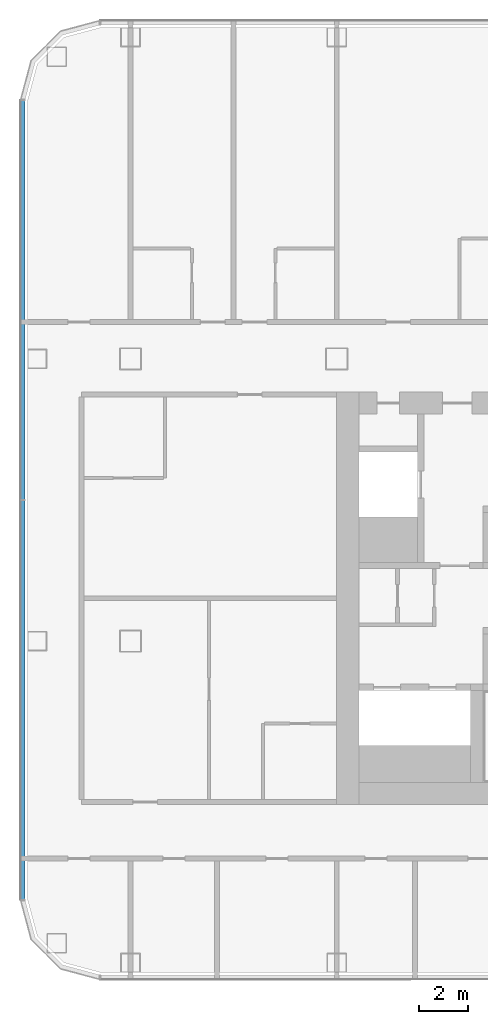
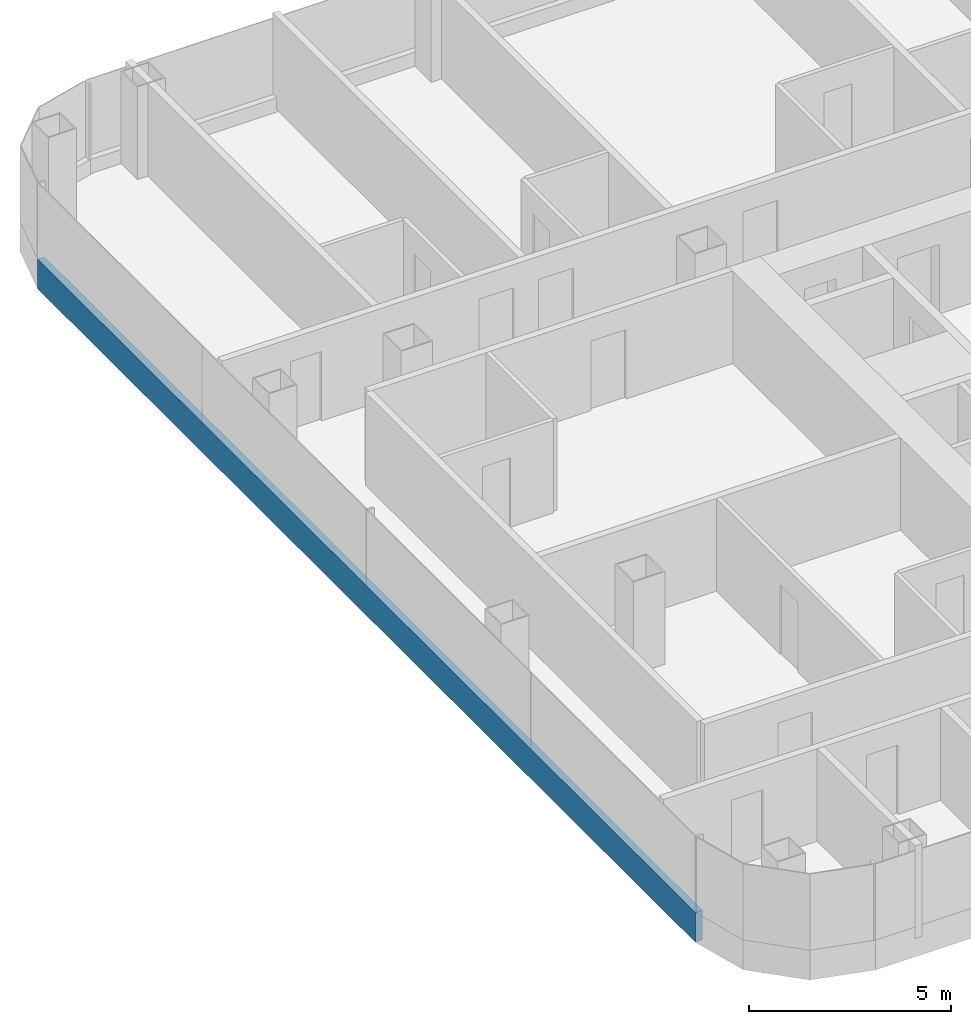
# One storey, part 3 of 29: 1 member, 1 element without a shape of its own.
"""IFC4 building model written with IfcOpenShell, lengths in metres."""

import ifcopenshell
import ifcopenshell.guid

model = None  # the IFC model being written
_history = None  # IfcOwnerHistory: only IFC2X3 demands one
_inside = {}  # id of a spatial element -> (the spatial element, [elements in it])
_under = {}  # id of a project, library or spatial element -> (it, [spatial elements below it])
_declared = {}  # id of a project -> (the project, [libraries it declares])
_typed = {}  # id of a type object -> (the type object, [elements of that type])
_made_of = {}  # id of a material, layer set ... -> (it, [elements and type objects made of it])


def new_model(schema):
    """Start an empty IFC model of exactly this schema.

    Asked for "IFC4X3", IfcOpenShell would pick the latest addendum, in which some entities
    have other attributes; the version numbers below select the first issue.
    IFC2X3 requires an IfcOwnerHistory on every rooted entity: one is made here for all.
    """
    global model, _history
    if schema == "IFC4X3":
        model = ifcopenshell.file(schema_version=(4, 3, 0, 0))
    else:
        model = ifcopenshell.file(schema=schema)
    _inside.clear()
    _under.clear()
    _declared.clear()
    _typed.clear()
    _made_of.clear()
    _history = None
    if model.schema == "IFC2X3":
        org = make("IfcOrganization", Name="unknown")
        user = make(
            "IfcPersonAndOrganization",
            ThePerson=make("IfcPerson", FamilyName="unknown"),
            TheOrganization=org,
        )
        app = make(
            "IfcApplication",
            ApplicationDeveloper=org,
            Version="unknown",
            ApplicationFullName="unknown",
            ApplicationIdentifier="unknown",
        )
        _history = make(
            "IfcOwnerHistory",
            OwningUser=user,
            OwningApplication=app,
            ChangeAction="ADDED",
            CreationDate=0,
        )
    return model


def make(cls, **values):
    """One entity of the class cls with the attributes given. An attribute that is None is left unset."""
    return model.create_entity(
        cls, **{name: value for name, value in values.items() if value is not None}
    )


def rooted(cls, **values):
    """An entity with a GlobalId (a new one), such as an element, a storey or a relation."""
    return make(cls, GlobalId=ifcopenshell.guid.new(), OwnerHistory=_history, **values)


def si_unit(unit_type, name, prefix=None):
    """IfcSIUnit, for example si_unit("LENGTHUNIT", "METRE", prefix="MILLI")."""
    return make("IfcSIUnit", UnitType=unit_type, Prefix=prefix, Name=name)


def assignment(units):
    """IfcUnitAssignment: the units of a project."""
    return None if units is None else make("IfcUnitAssignment", Units=units)


def point(xyz):
    """IfcCartesianPoint."""
    return None if xyz is None else make("IfcCartesianPoint", Coordinates=xyz)


def direction(xyz):
    """IfcDirection."""
    return None if xyz is None else make("IfcDirection", DirectionRatios=xyz)


def frame(location, z_axis=None, x_axis=None):
    """IfcAxis2Placement3D, a coordinate frame: its origin and axes. An axis left out is left unset."""
    return make(
        "IfcAxis2Placement3D",
        Location=point(location),
        Axis=direction(z_axis),
        RefDirection=direction(x_axis),
    )


def frame_2d(location, x_axis=None):
    """IfcAxis2Placement2D, a coordinate frame in the plane: its origin and x axis."""
    return make(
        "IfcAxis2Placement2D", Location=point(location), RefDirection=direction(x_axis)
    )


def origin():
    """The frame at (0, 0, 0) with its axes left unset."""
    return frame((0.0, 0.0, 0.0))


def origin_2d():
    """The frame at (0, 0) in the plane with its x axis left unset."""
    return frame_2d((0.0, 0.0))


def place(relative_to, where):
    """IfcLocalPlacement: puts the frame where relative to a parent placement (None: the world)."""
    return make(
        "IfcLocalPlacement", PlacementRelTo=relative_to, RelativePlacement=where
    )


def context(
    kind, dimensions, precision=None, world=None, true_north=None, identifier=None
):
    """IfcGeometricRepresentationContext, for example the 3D "Model" context."""
    return make(
        "IfcGeometricRepresentationContext",
        ContextIdentifier=identifier,
        ContextType=kind,
        CoordinateSpaceDimension=dimensions,
        Precision=precision,
        WorldCoordinateSystem=world,
        TrueNorth=true_north,
    )


def subcontext(parent, identifier, kind, view, scale=None):
    """IfcGeometricRepresentationSubContext, for example "Body" below "Model"."""
    return make(
        "IfcGeometricRepresentationSubContext",
        ContextIdentifier=identifier,
        ContextType=kind,
        ParentContext=parent,
        TargetScale=scale,
        TargetView=view,
    )


def project(units=None, contexts=None):
    """IfcProject with its units and contexts."""
    return rooted(
        "IfcProject",
        Name="project",
        RepresentationContexts=contexts,
        UnitsInContext=assignment(units),
    )


def spatial(cls, under=None, at=None, **own):
    """A site, building, storey or space (cls), placed at a placement, below another one or the project."""
    s = rooted(cls, ObjectPlacement=at, **own)
    if under is not None:
        _under.setdefault(under.id(), (under, []))[1].append(s)
    return s


def profile(cls, at=None, kind="AREA", **sizes):
    """A parametric profile (cls). Its sizes go by their IFC names, for example OverallWidth=200.0."""
    return make(cls, ProfileType=kind, Position=at, **sizes)


def rectangle(**sizes):
    """IfcRectangleProfileDef."""
    return profile("IfcRectangleProfileDef", **sizes)


def extrude(swept, where, along, depth):
    """IfcExtrudedAreaSolid: the profile swept, set in the frame where, extruded along a direction by depth."""
    return make(
        "IfcExtrudedAreaSolid",
        SweptArea=swept,
        Position=where,
        ExtrudedDirection=direction(along),
        Depth=depth,
    )


def shape(context_of_items, identifier, shape_type, items):
    """IfcShapeRepresentation: the items that make up one representation, for example the "Body"."""
    return make(
        "IfcShapeRepresentation",
        ContextOfItems=context_of_items,
        RepresentationIdentifier=identifier,
        RepresentationType=shape_type,
        Items=items,
    )


def material(Name=None, Category=None):
    """IfcMaterial."""
    return make("IfcMaterial", Name=Name, Category=Category)


def layer(
    of_material, thickness, ventilated=None, Name=None, Category=None, Priority=None
):
    """IfcMaterialLayer: one layer of a wall or slab, of a material (None: an air gap)."""
    return make(
        "IfcMaterialLayer",
        Material=of_material,
        LayerThickness=thickness,
        IsVentilated=ventilated,
        Name=Name,
        Category=Category,
        Priority=Priority,
    )


def layer_set(layers, Name=None):
    """IfcMaterialLayerSet."""
    return make("IfcMaterialLayerSet", MaterialLayers=layers, LayerSetName=Name)


def material_profile(
    of_material, cross_section, Name=None, Category=None, Priority=None
):
    """IfcMaterialProfile: a cross section and its material."""
    return make(
        "IfcMaterialProfile",
        Name=Name,
        Material=of_material,
        Profile=cross_section,
        Priority=Priority,
        Category=Category,
    )


def profile_set(profiles, Name=None, composite=None):
    """IfcMaterialProfileSet."""
    return make(
        "IfcMaterialProfileSet",
        Name=Name,
        MaterialProfiles=profiles,
        CompositeProfile=composite,
    )


def made_of(thing, what):
    """Note that an element or type object is made of a material, layer set ...; save() writes the relation."""
    if what is not None:
        _made_of.setdefault(what.id(), (what, []))[1].append(thing)
    return thing


def type_object(cls, material=None, **own):
    """A type object (cls), such as IfcWallType, which elements share."""
    return made_of(rooted(cls, **own), material)


def element(
    cls,
    number,
    at=None,
    inside=None,
    cuts=None,
    type_object=None,
    material=None,
    context=None,
    identifier="Body",
    shape_type=None,
    held_by="IfcProductDefinitionShape",
    body=None,
    shapes=None,
    **own,
):
    """One element of the class cls, such as IfcWall. Its Tag is "e" and its number.

    at: its placement. inside: the storey or other place that contains it. cuts: it is an
    opening in that element (IfcRelVoidsElement). A single representation is given by context,
    identifier, shape_type and body (its items); several are given by shapes. held_by: the class
    of the entity that holds the representations. save() writes the other relations.
    """
    e = rooted(cls, Tag="e%d" % number, ObjectPlacement=at, **own)
    if body is not None:
        shapes = [shape(context, identifier, shape_type, body)]
    if shapes is not None:
        e.Representation = make(held_by, Representations=shapes)
    if inside is not None:
        _inside.setdefault(inside.id(), (inside, []))[1].append(e)
    if cuts is not None:
        rooted(
            "IfcRelVoidsElement", RelatingBuildingElement=cuts, RelatedOpeningElement=e
        )
    if type_object is not None:
        _typed.setdefault(type_object.id(), (type_object, []))[1].append(e)
    return made_of(e, material)


def aggregate(whole, parts):
    """IfcRelAggregates: a whole, such as a stair, and the parts it consists of."""
    return rooted("IfcRelAggregates", RelatingObject=whole, RelatedObjects=parts)


def save(model, path):
    """Write the relations noted so far, then the file.

    IfcRelAggregates (storeys below a building ...), IfcRelContainedInSpatialStructure (elements
    in a storey), IfcRelDefinesByType, IfcRelAssociatesMaterial and IfcRelDeclares: one each for
    every whole, place, type object, material and project.
    """
    for whole, parts in _under.values():
        aggregate(whole, parts)
    for where, things in _inside.values():
        rooted(
            "IfcRelContainedInSpatialStructure",
            RelatedElements=things,
            RelatingStructure=where,
        )
    for kind, things in _typed.values():
        rooted("IfcRelDefinesByType", RelatedObjects=things, RelatingType=kind)
    for what, things in _made_of.values():
        rooted("IfcRelAssociatesMaterial", RelatedObjects=things, RelatingMaterial=what)
    for by, libraries in _declared.values():
        rooted("IfcRelDeclares", RelatingContext=by, RelatedDefinitions=libraries)
    model.write(path)


model = new_model("IFC4")

# Units and contexts
model_context = context("Model", 3, precision=1e-05, world=origin(), true_north=direction((0.0, 1.0)))
body_context = subcontext(model_context, "Body", "Model", "MODEL_VIEW")
ifc_project = project(units=[si_unit("LENGTHUNIT", "METRE"), si_unit("AREAUNIT", "SQUARE_METRE"), si_unit("VOLUMEUNIT", "CUBIC_METRE"), si_unit("PLANEANGLEUNIT", "RADIAN"), si_unit("MASSUNIT", "GRAM", prefix="KILO")], contexts=[model_context])

# Site, building, storey
site_placement = place(None, origin())
site = spatial("IfcSite", under=ifc_project, at=site_placement, CompositionType="ELEMENT")
building_placement = place(site_placement, origin())
building = spatial("IfcBuilding", under=site, at=building_placement, Name="Hakoniwa Tower and Hamabe Station Hall", CompositionType="ELEMENT")
storey_placement = place(building_placement, frame((0.0, 0.0, 97.800048828125)))
storey = spatial("IfcBuildingStorey", under=building, at=storey_placement, Name="L27", CompositionType="ELEMENT", Elevation=97.800048828125)

# Curtain wall, member
ifc_material_1 = material(Name="Dark low-e laminated glass", Category="glass")
ifc_layer = layer(ifc_material_1, 0.199951171875)
ifc_layer_set = layer_set([ifc_layer], Name="CW-1 UNITISED GUEST")
curtain_wall_type = type_object("IfcCurtainWallType", Name="CW-1 UNITISED GUEST", PredefinedType="NOTDEFINED", material=ifc_layer_set)
curtain_wall_placement = place(storey_placement, origin())
curtain_wall = element("IfcCurtainWall", 1, at=curtain_wall_placement, inside=storey, type_object=curtain_wall_type, Name="CW-1 curtain wall", PredefinedType="NOTDEFINED")
ifc_material_2 = material(Name="Aluminium 6063-T5 black anodised", Category="aluminium")
ifc_material_profile = material_profile(ifc_material_2, rectangle(XDim=0.199951171875, YDim=0.89990234375, at=origin_2d()), Name="CW SLAB-EDGE BAND 900X200")
ifc_profile_set = profile_set([ifc_material_profile], Name="Aluminium 6063-T5 black anodised")
member_type = type_object("IfcMemberType", Name="CW SLAB-EDGE BAND 900X200", PredefinedType="USERDEFINED", material=ifc_profile_set)
member_placement = place(storey_placement, frame((-46.39990234375, 20.28955078125, -0.10009765625), z_axis=(0.0, -1.0, 0.0), x_axis=(1.0, 0.0, 0.0)))
member = element("IfcMember", 2, at=member_placement, type_object=member_type, Name="CW-1 transom", ObjectType="TRANSOM", PredefinedType="USERDEFINED", context=body_context, shape_type="SweptSolid", body=[
    extrude(rectangle(XDim=0.199951171875, YDim=0.89990234375, at=origin_2d()), origin(), (0.0, 0.0, 1.0), 32.5791015625),
])
aggregate(curtain_wall, [member])

save(model, "model.ifc")
